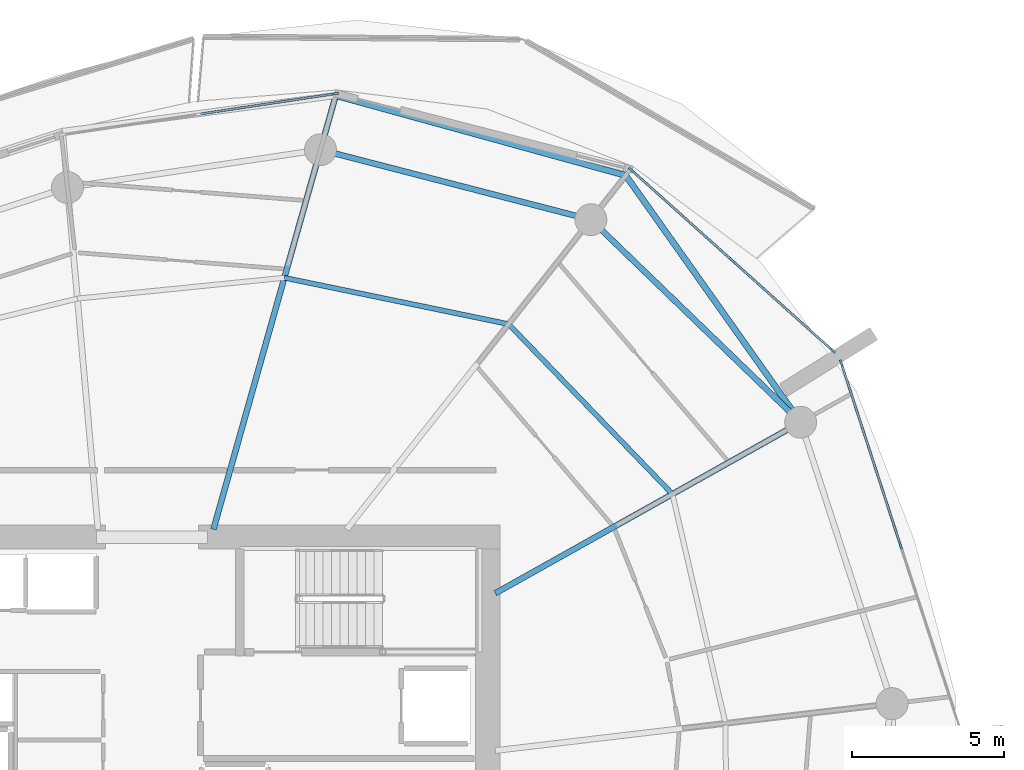
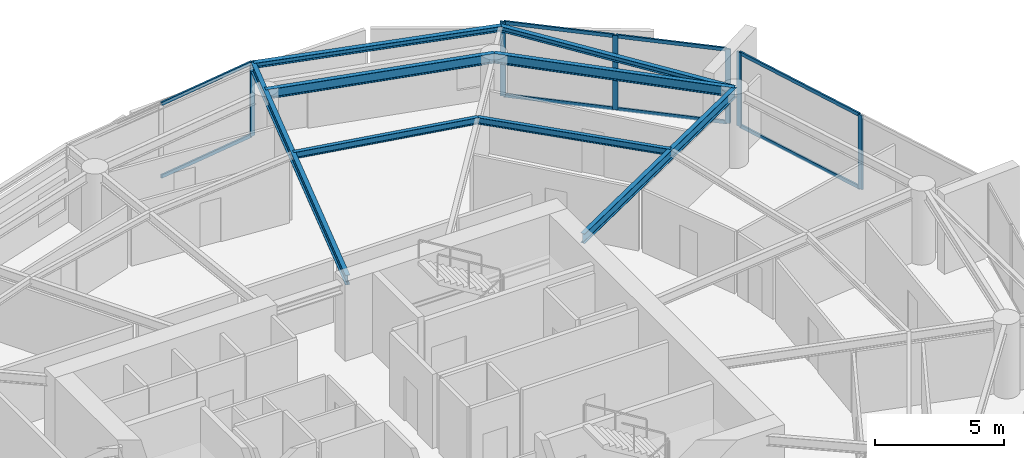
# One storey, part 9 of 20: 14 members, 8 beams, 3 elements without a shape of their own.
"""IFC4 building model written with IfcOpenShell, lengths in metres."""

from ifc_helpers import new_model, si_unit, direction, frame, origin, origin_2d, place, context, subcontext, project, spatial, rectangle, i_section, extrude, material, layer, layer_set, material_profile, profile_set, type_object, element, aggregate, save


model = new_model("IFC4")

# Units and contexts
model_context = context("Model", 3, precision=1e-05, world=origin(), true_north=direction((0.0, 1.0)))
body_context = subcontext(model_context, "Body", "Model", "MODEL_VIEW")
ifc_project = project(units=[si_unit("LENGTHUNIT", "METRE"), si_unit("AREAUNIT", "SQUARE_METRE"), si_unit("VOLUMEUNIT", "CUBIC_METRE"), si_unit("PLANEANGLEUNIT", "RADIAN"), si_unit("MASSUNIT", "GRAM", prefix="KILO")], contexts=[model_context])

# Site, building, storey
site_placement = place(None, origin())
site = spatial("IfcSite", under=ifc_project, at=site_placement, CompositionType="ELEMENT")
building_placement = place(site_placement, origin())
building = spatial("IfcBuilding", under=site, at=building_placement, Name="Kazma Halo Residences", CompositionType="ELEMENT")
storey_placement = place(building_placement, frame((0.0, 0.0, 165.300048828125)))
storey = spatial("IfcBuildingStorey", under=building, at=storey_placement, Name="L41", CompositionType="ELEMENT", Elevation=165.300048828125)

# Beams
ifc_material_1 = material(Name="Steel S355", Category="steel")
ifc_material_profile_1 = material_profile(ifc_material_1, i_section(OverallWidth=0.201904296875, OverallDepth=0.2470703125, WebThickness=0.00732421875, FlangeThickness=0.010986328125, FilletRadius=0.011962890625, at=origin_2d()), Name="W250x49.1")
ifc_profile_set_1 = profile_set([ifc_material_profile_1], Name="Steel S355")
beam_type_1 = type_object("IfcBeamType", Name="BM-BAL-CANT", PredefinedType="BEAM", material=ifc_profile_set_1)
beam_1_placement = place(storey_placement, frame((69.730224609375, 54.16943359375, 3.37646484375), z_axis=(-0.578203432081, 0.81589263456, 0.0), x_axis=(-0.81589263456, -0.578203432081, 0.0)))
element("IfcBeam", 1, at=beam_1_placement, inside=storey, type_object=beam_type_1, Name="L41 wave-balcony lead tie beam 01", PredefinedType="BEAM", context=body_context, shape_type="SweptSolid", body=[
    extrude(i_section(OverallWidth=0.201904296875, OverallDepth=0.2470703125, WebThickness=0.00732421875, FlangeThickness=0.010986328125, FilletRadius=0.011962890625, at=origin_2d()), origin(), (0.0, 0.0, 1.0), 9.9365234375),
])
beam_2_placement = place(storey_placement, frame((63.98486328125, 62.276611328125, 3.37646484375), z_axis=(-0.964045237638, 0.265738179019, 0.0), x_axis=(-0.265738179019, -0.964045237638, 0.0)))
element("IfcBeam", 2, at=beam_2_placement, inside=storey, type_object=beam_type_1, Name="L41 wave-balcony tie beam 02", PredefinedType="BEAM", context=body_context, shape_type="SweptSolid", body=[
    extrude(i_section(OverallWidth=0.201904296875, OverallDepth=0.2470703125, WebThickness=0.00732421875, FlangeThickness=0.010986328125, FilletRadius=0.011962890625, at=origin_2d()), origin(), (0.0, 0.0, 1.0), 9.880859375),
])
ifc_material_profile_2 = material_profile(ifc_material_1, i_section(OverallWidth=0.18994140625, OverallDepth=0.45703125, WebThickness=0.009033203125, FlangeThickness=0.014404296875, FilletRadius=0.01611328125, at=origin_2d()), Name="W460x74")
ifc_profile_set_2 = profile_set([ifc_material_profile_2], Name="Steel S355")
beam_type_2 = type_object("IfcBeamType", Name="BM-RAD-W460", PredefinedType="BEAM", material=ifc_profile_set_2)
beam_3_placement = place(storey_placement, frame((59.699951171875, 48.55224609375, 3.271484375), z_axis=(0.872497324456, 0.488618889132, 0.0), x_axis=(-0.488618889132, 0.872497324456, 0.0)))
element("IfcBeam", 3, at=beam_3_placement, inside=storey, type_object=beam_type_2, Name="L41 radial floor beam 01", PredefinedType="BEAM", context=body_context, shape_type="SweptSolid", body=[
    extrude(i_section(OverallWidth=0.18994140625, OverallDepth=0.45703125, WebThickness=0.009033203125, FlangeThickness=0.014404296875, FilletRadius=0.01611328125, at=origin_2d()), origin(), (0.0, 0.0, 1.0), 11.49609375),
])
beam_4_placement = place(storey_placement, frame((50.439697265625, 50.64990234375, 3.271484375), z_axis=(0.271435886816, 0.962456523355, 0.0), x_axis=(-0.962456523355, 0.271435886816, 0.0)))
element("IfcBeam", 4, at=beam_4_placement, inside=storey, type_object=beam_type_2, Name="L41 radial floor beam 03", PredefinedType="BEAM", context=body_context, shape_type="SweptSolid", body=[
    extrude(i_section(OverallWidth=0.18994140625, OverallDepth=0.45703125, WebThickness=0.009033203125, FlangeThickness=0.014404296875, FilletRadius=0.01611328125, at=origin_2d()), origin(), (0.0, 0.0, 1.0), 14.808349609375),
])
ifc_material_profile_3 = material_profile(ifc_material_1, i_section(OverallWidth=0.1650390625, OverallDepth=0.31005859375, WebThickness=0.005859375, FlangeThickness=0.009765625, FilletRadius=0.011962890625, at=origin_2d()), Name="W310x38.7")
ifc_profile_set_3 = profile_set([ifc_material_profile_3], Name="Steel S355")
beam_type_3 = type_object("IfcBeamType", Name="BM-SEC-W310B", PredefinedType="JOIST", material=ifc_profile_set_3)
beam_5_placement = place(storey_placement, frame((65.517578125, 51.810302734375, 3.344970703125), z_axis=(-0.694049338985, 0.719927437354, 0.0), x_axis=(-0.719927437354, -0.694049338985, 0.0)))
element("IfcBeam", 5, at=beam_5_placement, inside=storey, type_object=beam_type_3, Name="L41 circumferential floor joist 01", PredefinedType="JOIST", context=body_context, shape_type="SweptSolid", body=[
    extrude(i_section(OverallWidth=0.1650390625, OverallDepth=0.31005859375, WebThickness=0.005859375, FlangeThickness=0.009765625, FilletRadius=0.011962890625, at=origin_2d()), origin(), (0.0, 0.0, 1.0), 7.7548828125),
])
beam_6_placement = place(storey_placement, frame((60.13525390625, 57.393310546875, 3.344970703125), z_axis=(-0.979272189631, 0.202548706773, 0.0), x_axis=(-0.202548706773, -0.979272189631, 0.0)))
element("IfcBeam", 6, at=beam_6_placement, inside=storey, type_object=beam_type_3, Name="L41 circumferential floor joist 02", PredefinedType="JOIST", context=body_context, shape_type="SweptSolid", body=[
    extrude(i_section(OverallWidth=0.1650390625, OverallDepth=0.31005859375, WebThickness=0.005859375, FlangeThickness=0.009765625, FilletRadius=0.011962890625, at=origin_2d()), origin(), (0.0, 0.0, 1.0), 7.52001953125),
])
ifc_material_profile_4 = material_profile(ifc_material_1, i_section(OverallWidth=0.18994140625, OverallDepth=0.45703125, WebThickness=0.009033203125, FlangeThickness=0.014404296875, FilletRadius=0.01611328125, at=origin_2d()), Name="W460x74")
ifc_profile_set_4 = profile_set([ifc_material_profile_4], Name="Steel S355")
beam_type_4 = type_object("IfcBeamType", Name="BM-SPN-W460", PredefinedType="BEAM", material=ifc_profile_set_4)
beam_7_placement = place(storey_placement, frame((69.730224609375, 54.16943359375, 3.271484375), z_axis=(-0.719334705845, 0.694663645923, 0.0), x_axis=(-0.694663645923, -0.719334705845, 0.0)))
element("IfcBeam", 7, at=beam_7_placement, inside=storey, type_object=beam_type_4, Name="L41 perimeter ring beam 01", PredefinedType="BEAM", context=body_context, shape_type="SweptSolid", body=[
    extrude(i_section(OverallWidth=0.18994140625, OverallDepth=0.45703125, WebThickness=0.009033203125, FlangeThickness=0.014404296875, FilletRadius=0.01611328125, at=origin_2d()), origin(), (0.0, 0.0, 1.0), 9.5791015625),
])
beam_8_placement = place(storey_placement, frame((62.839599609375, 60.82373046875, 3.271484375), z_axis=(-0.968123664213, 0.250472694699, 0.0), x_axis=(-0.250472694699, -0.968123664213, 0.0)))
element("IfcBeam", 8, at=beam_8_placement, inside=storey, type_object=beam_type_4, Name="L41 perimeter ring beam 02", PredefinedType="BEAM", context=body_context, shape_type="SweptSolid", body=[
    extrude(i_section(OverallWidth=0.18994140625, OverallDepth=0.45703125, WebThickness=0.009033203125, FlangeThickness=0.014404296875, FilletRadius=0.01611328125, at=origin_2d()), origin(), (0.0, 0.0, 1.0), 9.175048828125),
])

# Curtain wall, members
ifc_material_2 = material(Name="Aluminium AW-6063 T6 and Triple-Silver Low-E Glass", Category="aluminium")
ifc_layer = layer(ifc_material_2, 0.219970703125)
ifc_layer_set = layer_set([ifc_layer], Name="Aluminium AW-6063 T6 and Triple-Silver Low-E Glass")
curtain_wall_type = type_object("IfcCurtainWallType", Name="CW-SYS-4", PredefinedType="NOTDEFINED", material=ifc_layer_set)
curtain_wall_1_placement = place(storey_placement, origin())
curtain_wall_1 = element("IfcCurtainWall", 9, at=curtain_wall_1_placement, inside=storey, type_object=curtain_wall_type, Name="L41 unitised curtain wall B01", PredefinedType="NOTDEFINED")
ifc_material_3 = material(Name="Aluminium AW-6063 T6", Category="aluminium")
ifc_material_profile_5 = material_profile(ifc_material_3, rectangle(XDim=0.074951171875, YDim=0.219970703125, at=origin_2d()), Name="CWM-75x220")
ifc_profile_set_5 = profile_set([ifc_material_profile_5], Name="Aluminium AW-6063 T6")
member_type_1 = type_object("IfcMemberType", Name="CW-SYS-4-MUL", PredefinedType="MULLION", material=ifc_profile_set_5)
member_1_placement = place(storey_placement, frame((70.778564453125, 56.5263671875, 0.0), z_axis=(0.0, 0.0, 1.0), x_axis=(-0.667770096247, -0.744367582957, 0.0)))
member_1 = element("IfcMember", 10, at=member_1_placement, type_object=member_type_1, Name="CWS-4 mullion 1", PredefinedType="MULLION", context=body_context, shape_type="SweptSolid", body=[
    extrude(rectangle(XDim=0.074951171875, YDim=0.219970703125, at=origin_2d()), origin(), (0.0, 0.0, 1.0), 3.5),
])
member_2_placement = place(storey_placement, frame((67.47509765625, 59.48974609375, 0.0), z_axis=(0.0, 0.0, 1.0), x_axis=(-0.667770096247, -0.744367582957, 0.0)))
member_2 = element("IfcMember", 11, at=member_2_placement, type_object=member_type_1, Name="CWS-4 mullion 2", PredefinedType="MULLION", context=body_context, shape_type="SweptSolid", body=[
    extrude(rectangle(XDim=0.074951171875, YDim=0.219970703125, at=origin_2d()), origin(), (0.0, 0.0, 1.0), 3.5),
])
member_3_placement = place(storey_placement, frame((64.171630859375, 62.453369140625, 0.0), z_axis=(0.0, 0.0, 1.0), x_axis=(-0.667770096247, -0.744367582957, 0.0)))
member_3 = element("IfcMember", 12, at=member_3_placement, type_object=member_type_1, Name="CWS-4 mullion 3", PredefinedType="MULLION", context=body_context, shape_type="SweptSolid", body=[
    extrude(rectangle(XDim=0.074951171875, YDim=0.219970703125, at=origin_2d()), origin(), (0.0, 0.0, 1.0), 3.5),
])

# Curtain wall, member
curtain_wall_2_placement = place(storey_placement, origin())
curtain_wall_2 = element("IfcCurtainWall", 13, at=curtain_wall_2_placement, inside=storey, type_object=curtain_wall_type, Name="L41 unitised curtain wall B03", PredefinedType="NOTDEFINED")
member_4_placement = place(storey_placement, frame((54.440673828125, 64.962890625, 0.0), z_axis=(0.0, 0.0, 1.0), x_axis=(0.148821022686, -0.988864148004, 0.0)))
member_4 = element("IfcMember", 14, at=member_4_placement, type_object=member_type_1, Name="CWS-4 mullion 1", PredefinedType="MULLION", context=body_context, shape_type="SweptSolid", body=[
    extrude(rectangle(XDim=0.074951171875, YDim=0.219970703125, at=origin_2d()), origin(), (0.0, 0.0, 1.0), 3.5),
])

# Curtain wall, members
curtain_wall_3_placement = place(storey_placement, origin())
curtain_wall_3 = element("IfcCurtainWall", 15, at=curtain_wall_3_placement, inside=storey, type_object=curtain_wall_type, Name="L41 unitised curtain wall B16", PredefinedType="NOTDEFINED")
member_5_placement = place(storey_placement, frame((73.009033203125, 50.1259765625, 0.0), z_axis=(0.0, 0.0, 1.0), x_axis=(-0.951057547609, -0.3090138203, 0.0)))
member_5 = element("IfcMember", 16, at=member_5_placement, type_object=member_type_1, Name="CWS-4 mullion 2", PredefinedType="MULLION", context=body_context, shape_type="SweptSolid", body=[
    extrude(rectangle(XDim=0.074951171875, YDim=0.219970703125, at=origin_2d()), origin(), (0.0, 0.0, 1.0), 3.5),
])
member_6_placement = place(storey_placement, frame((71.062255859375, 56.117431640625, 0.0), z_axis=(0.0, 0.0, 1.0), x_axis=(-0.951057547609, -0.3090138203, 0.0)))
member_6 = element("IfcMember", 17, at=member_6_placement, type_object=member_type_1, Name="CWS-4 mullion 3", PredefinedType="MULLION", context=body_context, shape_type="SweptSolid", body=[
    extrude(rectangle(XDim=0.074951171875, YDim=0.219970703125, at=origin_2d()), origin(), (0.0, 0.0, 1.0), 3.5),
])

# Member
ifc_material_profile_6 = material_profile(ifc_material_3, rectangle(XDim=0.074951171875, YDim=0.1650390625, at=origin_2d()), Name="CWT-75x165")
ifc_profile_set_6 = profile_set([ifc_material_profile_6], Name="Aluminium AW-6063 T6")
member_type_2 = type_object("IfcMemberType", Name="CW-SYS-4-TRN", PredefinedType="USERDEFINED", material=ifc_profile_set_6)
member_7_placement = place(storey_placement, frame((70.75048828125, 56.55126953125, 0.037353515625), z_axis=(-0.744344978888, 0.66779529229, 0.0), x_axis=(-0.66779529229, -0.744344978888, 0.0)))
member_7 = element("IfcMember", 18, at=member_7_placement, type_object=member_type_2, Name="CWS-4 transom 1.1", ObjectType="TRANSOM", PredefinedType="USERDEFINED", context=body_context, shape_type="SweptSolid", body=[
    extrude(rectangle(XDim=0.074951171875, YDim=0.1650390625, at=origin_2d()), origin(), (0.0, 0.0, 1.0), 4.363037109375),
])

member_8_placement = place(storey_placement, frame((70.75048828125, 56.55126953125, 3.46240234375), z_axis=(-0.744344978888, 0.66779529229, 0.0), x_axis=(-0.66779529229, -0.744344978888, 0.0)))
member_8 = element("IfcMember", 19, at=member_8_placement, type_object=member_type_2, Name="CWS-4 transom 1.2", ObjectType="TRANSOM", PredefinedType="USERDEFINED", context=body_context, shape_type="SweptSolid", body=[
    extrude(rectangle(XDim=0.074951171875, YDim=0.1650390625, at=origin_2d()), origin(), (0.0, 0.0, 1.0), 4.363037109375),
])

member_9_placement = place(storey_placement, frame((67.447265625, 59.514892578125, 0.037353515625), z_axis=(-0.744372794017, 0.667764287401, 0.0), x_axis=(-0.667764287401, -0.744372794017, 0.0)))
member_9 = element("IfcMember", 20, at=member_9_placement, type_object=member_type_2, Name="CWS-4 transom 2.1", ObjectType="TRANSOM", PredefinedType="USERDEFINED", context=body_context, shape_type="SweptSolid", body=[
    extrude(rectangle(XDim=0.074951171875, YDim=0.1650390625, at=origin_2d()), origin(), (0.0, 0.0, 1.0), 4.36279296875),
])

member_10_placement = place(storey_placement, frame((67.447265625, 59.514892578125, 3.46240234375), z_axis=(-0.744372794017, 0.667764287401, 0.0), x_axis=(-0.667764287401, -0.744372794017, 0.0)))
member_10 = element("IfcMember", 21, at=member_10_placement, type_object=member_type_2, Name="CWS-4 transom 2.2", ObjectType="TRANSOM", PredefinedType="USERDEFINED", context=body_context, shape_type="SweptSolid", body=[
    extrude(rectangle(XDim=0.074951171875, YDim=0.1650390625, at=origin_2d()), origin(), (0.0, 0.0, 1.0), 4.36279296875),
])

aggregate(curtain_wall_1, [member_1, member_2, member_3, member_7, member_8, member_9, member_10])

member_11_placement = place(storey_placement, frame((54.403564453125, 64.957275390625, 0.037353515625), z_axis=(-0.988866721231, -0.148803923478, 0.0), x_axis=(0.148803923478, -0.988866721231, 0.0)))
member_11 = element("IfcMember", 22, at=member_11_placement, type_object=member_type_2, Name="CWS-4 transom 1.1", ObjectType="TRANSOM", PredefinedType="USERDEFINED", context=body_context, shape_type="SweptSolid", body=[
    extrude(rectangle(XDim=0.074951171875, YDim=0.1650390625, at=origin_2d()), origin(), (0.0, 0.0, 1.0), 4.4560546875),
])

member_12_placement = place(storey_placement, frame((54.403564453125, 64.957275390625, 3.46240234375), z_axis=(-0.988866721231, -0.148803923478, 0.0), x_axis=(0.148803923478, -0.988866721231, 0.0)))
member_12 = element("IfcMember", 23, at=member_12_placement, type_object=member_type_2, Name="CWS-4 transom 1.2", ObjectType="TRANSOM", PredefinedType="USERDEFINED", context=body_context, shape_type="SweptSolid", body=[
    extrude(rectangle(XDim=0.074951171875, YDim=0.1650390625, at=origin_2d()), origin(), (0.0, 0.0, 1.0), 4.4560546875),
])

aggregate(curtain_wall_2, [member_4, member_11, member_12])

member_13_placement = place(storey_placement, frame((72.99755859375, 50.16162109375, 0.037353515625), z_axis=(-0.309017784977, 0.951056259413, 0.0), x_axis=(-0.951056259413, -0.309017784977, 0.0)))
member_13 = element("IfcMember", 24, at=member_13_placement, type_object=member_type_2, Name="CWS-4 transom 2.1", ObjectType="TRANSOM", PredefinedType="USERDEFINED", context=body_context, shape_type="SweptSolid", body=[
    extrude(rectangle(XDim=0.074951171875, YDim=0.1650390625, at=origin_2d()), origin(), (0.0, 0.0, 1.0), 6.224853515625),
])

member_14_placement = place(storey_placement, frame((72.99755859375, 50.16162109375, 3.46240234375), z_axis=(-0.309017784977, 0.951056259413, 0.0), x_axis=(-0.951056259413, -0.309017784977, 0.0)))
member_14 = element("IfcMember", 25, at=member_14_placement, type_object=member_type_2, Name="CWS-4 transom 2.2", ObjectType="TRANSOM", PredefinedType="USERDEFINED", context=body_context, shape_type="SweptSolid", body=[
    extrude(rectangle(XDim=0.074951171875, YDim=0.1650390625, at=origin_2d()), origin(), (0.0, 0.0, 1.0), 6.224853515625),
])

aggregate(curtain_wall_3, [member_5, member_6, member_13, member_14])

save(model, "model.ifc")
